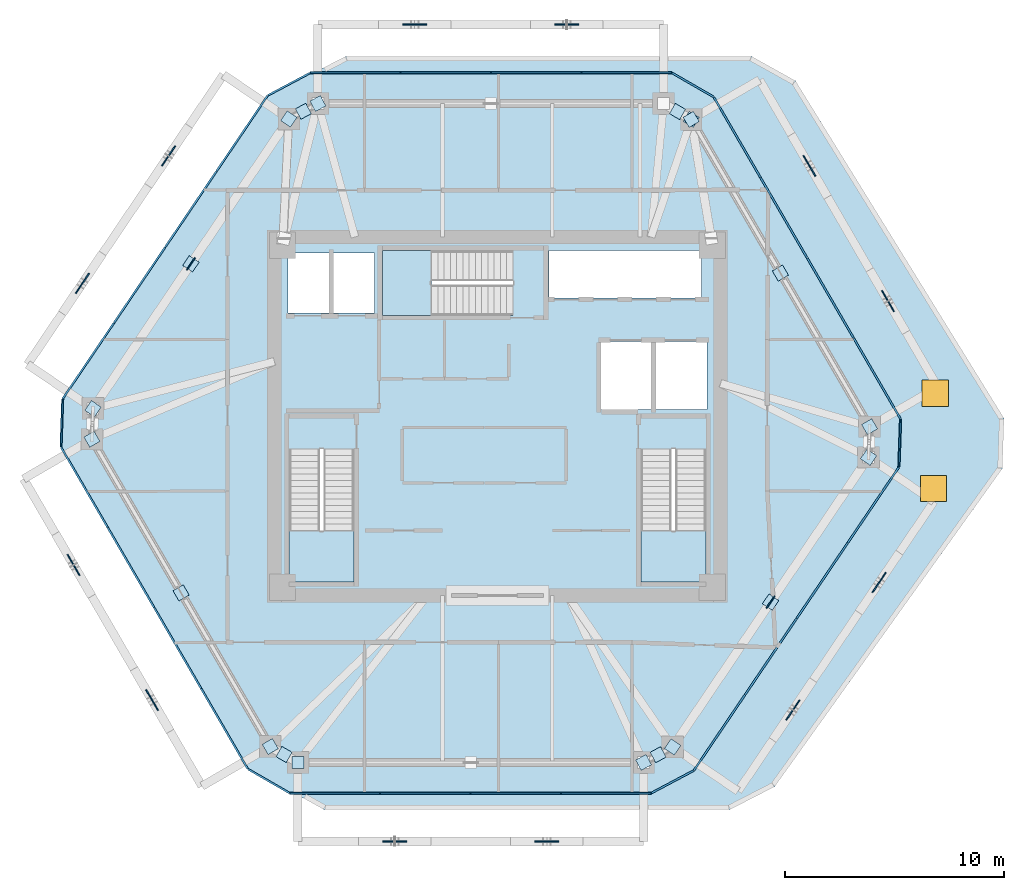
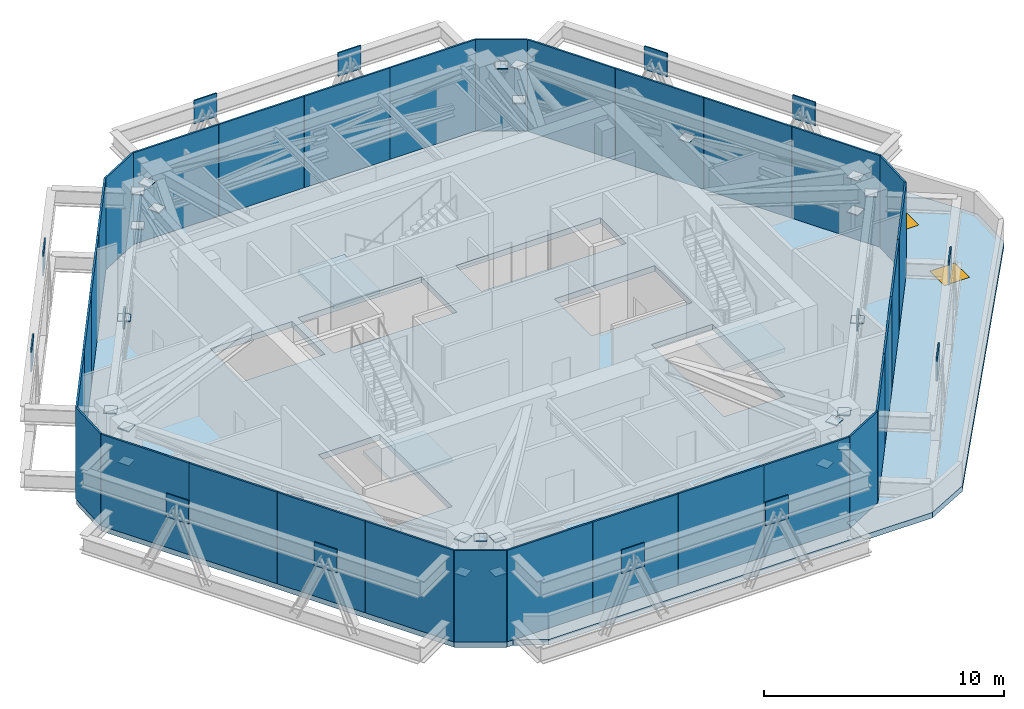
# One storey, part 4 of 10: 70 plates, 5 slabs, 2 windows, 2 openings, 3 elements without a shape of their own.
"""IFC4 building model written with IfcOpenShell, lengths in metres."""

import ifcopenshell
import ifcopenshell.guid

model = None  # the IFC model being written
_history = None  # IfcOwnerHistory: only IFC2X3 demands one
_inside = {}  # id of a spatial element -> (the spatial element, [elements in it])
_under = {}  # id of a project, library or spatial element -> (it, [spatial elements below it])
_declared = {}  # id of a project -> (the project, [libraries it declares])
_typed = {}  # id of a type object -> (the type object, [elements of that type])
_made_of = {}  # id of a material, layer set ... -> (it, [elements and type objects made of it])


def new_model(schema):
    """Start an empty IFC model of exactly this schema.

    Asked for "IFC4X3", IfcOpenShell would pick the latest addendum, in which some entities
    have other attributes; the version numbers below select the first issue.
    IFC2X3 requires an IfcOwnerHistory on every rooted entity: one is made here for all.
    """
    global model, _history
    if schema == "IFC4X3":
        model = ifcopenshell.file(schema_version=(4, 3, 0, 0))
    else:
        model = ifcopenshell.file(schema=schema)
    _inside.clear()
    _under.clear()
    _declared.clear()
    _typed.clear()
    _made_of.clear()
    _history = None
    if model.schema == "IFC2X3":
        org = make("IfcOrganization", Name="unknown")
        user = make(
            "IfcPersonAndOrganization",
            ThePerson=make("IfcPerson", FamilyName="unknown"),
            TheOrganization=org,
        )
        app = make(
            "IfcApplication",
            ApplicationDeveloper=org,
            Version="unknown",
            ApplicationFullName="unknown",
            ApplicationIdentifier="unknown",
        )
        _history = make(
            "IfcOwnerHistory",
            OwningUser=user,
            OwningApplication=app,
            ChangeAction="ADDED",
            CreationDate=0,
        )
    return model


def make(cls, **values):
    """One entity of the class cls with the attributes given. An attribute that is None is left unset."""
    return model.create_entity(
        cls, **{name: value for name, value in values.items() if value is not None}
    )


def rooted(cls, **values):
    """An entity with a GlobalId (a new one), such as an element, a storey or a relation."""
    return make(cls, GlobalId=ifcopenshell.guid.new(), OwnerHistory=_history, **values)


def si_unit(unit_type, name, prefix=None):
    """IfcSIUnit, for example si_unit("LENGTHUNIT", "METRE", prefix="MILLI")."""
    return make("IfcSIUnit", UnitType=unit_type, Prefix=prefix, Name=name)


def assignment(units):
    """IfcUnitAssignment: the units of a project."""
    return None if units is None else make("IfcUnitAssignment", Units=units)


def point(xyz):
    """IfcCartesianPoint."""
    return None if xyz is None else make("IfcCartesianPoint", Coordinates=xyz)


def direction(xyz):
    """IfcDirection."""
    return None if xyz is None else make("IfcDirection", DirectionRatios=xyz)


def frame(location, z_axis=None, x_axis=None):
    """IfcAxis2Placement3D, a coordinate frame: its origin and axes. An axis left out is left unset."""
    return make(
        "IfcAxis2Placement3D",
        Location=point(location),
        Axis=direction(z_axis),
        RefDirection=direction(x_axis),
    )


def frame_2d(location, x_axis=None):
    """IfcAxis2Placement2D, a coordinate frame in the plane: its origin and x axis."""
    return make(
        "IfcAxis2Placement2D", Location=point(location), RefDirection=direction(x_axis)
    )


def origin():
    """The frame at (0, 0, 0) with its axes left unset."""
    return frame((0.0, 0.0, 0.0))


def origin_2d():
    """The frame at (0, 0) in the plane with its x axis left unset."""
    return frame_2d((0.0, 0.0))


def place(relative_to, where):
    """IfcLocalPlacement: puts the frame where relative to a parent placement (None: the world)."""
    return make(
        "IfcLocalPlacement", PlacementRelTo=relative_to, RelativePlacement=where
    )


def context(
    kind, dimensions, precision=None, world=None, true_north=None, identifier=None
):
    """IfcGeometricRepresentationContext, for example the 3D "Model" context."""
    return make(
        "IfcGeometricRepresentationContext",
        ContextIdentifier=identifier,
        ContextType=kind,
        CoordinateSpaceDimension=dimensions,
        Precision=precision,
        WorldCoordinateSystem=world,
        TrueNorth=true_north,
    )


def subcontext(parent, identifier, kind, view, scale=None):
    """IfcGeometricRepresentationSubContext, for example "Body" below "Model"."""
    return make(
        "IfcGeometricRepresentationSubContext",
        ContextIdentifier=identifier,
        ContextType=kind,
        ParentContext=parent,
        TargetScale=scale,
        TargetView=view,
    )


def project(units=None, contexts=None):
    """IfcProject with its units and contexts."""
    return rooted(
        "IfcProject",
        Name="project",
        RepresentationContexts=contexts,
        UnitsInContext=assignment(units),
    )


def spatial(cls, under=None, at=None, **own):
    """A site, building, storey or space (cls), placed at a placement, below another one or the project."""
    s = rooted(cls, ObjectPlacement=at, **own)
    if under is not None:
        _under.setdefault(under.id(), (under, []))[1].append(s)
    return s


def polyline(points):
    """IfcPolyline through the points."""
    return make("IfcPolyline", Points=[point(p) for p in points])


def profile(cls, at=None, kind="AREA", **sizes):
    """A parametric profile (cls). Its sizes go by their IFC names, for example OverallWidth=200.0."""
    return make(cls, ProfileType=kind, Position=at, **sizes)


def rectangle(**sizes):
    """IfcRectangleProfileDef."""
    return profile("IfcRectangleProfileDef", **sizes)


def outline(outer, holes=None, kind="AREA"):
    """IfcArbitraryClosedProfileDef: a profile drawn as a closed curve; with holes, ...WithVoids."""
    if holes is None:
        return make("IfcArbitraryClosedProfileDef", ProfileType=kind, OuterCurve=outer)
    return make(
        "IfcArbitraryProfileDefWithVoids",
        ProfileType=kind,
        OuterCurve=outer,
        InnerCurves=holes,
    )


def extrude(swept, where, along, depth):
    """IfcExtrudedAreaSolid: the profile swept, set in the frame where, extruded along a direction by depth."""
    return make(
        "IfcExtrudedAreaSolid",
        SweptArea=swept,
        Position=where,
        ExtrudedDirection=direction(along),
        Depth=depth,
    )


def shape(context_of_items, identifier, shape_type, items):
    """IfcShapeRepresentation: the items that make up one representation, for example the "Body"."""
    return make(
        "IfcShapeRepresentation",
        ContextOfItems=context_of_items,
        RepresentationIdentifier=identifier,
        RepresentationType=shape_type,
        Items=items,
    )


def source(mapping_origin, context_of_items, identifier, shape_type, items):
    """IfcRepresentationMap: a shape defined once, which mapped items show again and again."""
    return make(
        "IfcRepresentationMap",
        MappingOrigin=mapping_origin,
        MappedRepresentation=shape(context_of_items, identifier, shape_type, items),
    )


def transform(
    local_origin,
    x_axis=None,
    y_axis=None,
    z_axis=None,
    scale=None,
    scale2=None,
    scale3=None,
    uniform=True,
):
    """IfcCartesianTransformationOperator3D, or its non-uniform kind. x_axis, y_axis, z_axis: its Axis1, 2, 3."""
    if uniform:
        return make(
            "IfcCartesianTransformationOperator3D",
            Axis1=direction(x_axis),
            Axis2=direction(y_axis),
            LocalOrigin=point(local_origin),
            Scale=scale,
            Axis3=direction(z_axis),
        )
    return make(
        "IfcCartesianTransformationOperator3DnonUniform",
        Axis1=direction(x_axis),
        Axis2=direction(y_axis),
        LocalOrigin=point(local_origin),
        Scale=scale,
        Axis3=direction(z_axis),
        Scale2=scale2,
        Scale3=scale3,
    )


def mapped(mapping_source, mapping_target):
    """IfcMappedItem: shows the shape of a source again, moved by a transform."""
    return make(
        "IfcMappedItem", MappingSource=mapping_source, MappingTarget=mapping_target
    )


def material(Name=None, Category=None):
    """IfcMaterial."""
    return make("IfcMaterial", Name=Name, Category=Category)


def layer(
    of_material, thickness, ventilated=None, Name=None, Category=None, Priority=None
):
    """IfcMaterialLayer: one layer of a wall or slab, of a material (None: an air gap)."""
    return make(
        "IfcMaterialLayer",
        Material=of_material,
        LayerThickness=thickness,
        IsVentilated=ventilated,
        Name=Name,
        Category=Category,
        Priority=Priority,
    )


def layer_set(layers, Name=None):
    """IfcMaterialLayerSet."""
    return make("IfcMaterialLayerSet", MaterialLayers=layers, LayerSetName=Name)


def made_of(thing, what):
    """Note that an element or type object is made of a material, layer set ...; save() writes the relation."""
    if what is not None:
        _made_of.setdefault(what.id(), (what, []))[1].append(thing)
    return thing


def type_object(cls, material=None, **own):
    """A type object (cls), such as IfcWallType, which elements share."""
    return made_of(rooted(cls, **own), material)


def type_shapes(of_type, sources):
    """Give a type object the sources (RepresentationMaps) that its elements show as mapped items."""
    of_type.RepresentationMaps = sources


def element(
    cls,
    number,
    at=None,
    inside=None,
    cuts=None,
    type_object=None,
    material=None,
    context=None,
    identifier="Body",
    shape_type=None,
    held_by="IfcProductDefinitionShape",
    body=None,
    shapes=None,
    **own,
):
    """One element of the class cls, such as IfcWall. Its Tag is "e" and its number.

    at: its placement. inside: the storey or other place that contains it. cuts: it is an
    opening in that element (IfcRelVoidsElement). A single representation is given by context,
    identifier, shape_type and body (its items); several are given by shapes. held_by: the class
    of the entity that holds the representations. save() writes the other relations.
    """
    e = rooted(cls, Tag="e%d" % number, ObjectPlacement=at, **own)
    if body is not None:
        shapes = [shape(context, identifier, shape_type, body)]
    if shapes is not None:
        e.Representation = make(held_by, Representations=shapes)
    if inside is not None:
        _inside.setdefault(inside.id(), (inside, []))[1].append(e)
    if cuts is not None:
        rooted(
            "IfcRelVoidsElement", RelatingBuildingElement=cuts, RelatedOpeningElement=e
        )
    if type_object is not None:
        _typed.setdefault(type_object.id(), (type_object, []))[1].append(e)
    return made_of(e, material)


def fill(opening, filler):
    """IfcRelFillsElement: the door or window that sits in an opening."""
    return rooted(
        "IfcRelFillsElement",
        RelatingOpeningElement=opening,
        RelatedBuildingElement=filler,
    )


def aggregate(whole, parts):
    """IfcRelAggregates: a whole, such as a stair, and the parts it consists of."""
    return rooted("IfcRelAggregates", RelatingObject=whole, RelatedObjects=parts)


def save(model, path):
    """Write the relations noted so far, then the file.

    IfcRelAggregates (storeys below a building ...), IfcRelContainedInSpatialStructure (elements
    in a storey), IfcRelDefinesByType, IfcRelAssociatesMaterial and IfcRelDeclares: one each for
    every whole, place, type object, material and project.
    """
    for whole, parts in _under.values():
        aggregate(whole, parts)
    for where, things in _inside.values():
        rooted(
            "IfcRelContainedInSpatialStructure",
            RelatedElements=things,
            RelatingStructure=where,
        )
    for kind, things in _typed.values():
        rooted("IfcRelDefinesByType", RelatedObjects=things, RelatingType=kind)
    for what, things in _made_of.values():
        rooted("IfcRelAssociatesMaterial", RelatedObjects=things, RelatingMaterial=what)
    for by, libraries in _declared.values():
        rooted("IfcRelDeclares", RelatingContext=by, RelatedDefinitions=libraries)
    model.write(path)


model = new_model("IFC4")

# Units and contexts
model_context = context("Model", 3, precision=1e-05, world=origin(), true_north=direction((0.0, 1.0)))
body_context = subcontext(model_context, "Body", "Model", "MODEL_VIEW")
ifc_project = project(units=[si_unit("LENGTHUNIT", "METRE"), si_unit("AREAUNIT", "SQUARE_METRE"), si_unit("VOLUMEUNIT", "CUBIC_METRE"), si_unit("PLANEANGLEUNIT", "RADIAN"), si_unit("MASSUNIT", "GRAM", prefix="KILO")], contexts=[model_context])

# Site, building, storey
site_placement = place(None, origin())
site = spatial("IfcSite", under=ifc_project, at=site_placement, CompositionType="ELEMENT")
building_placement = place(site_placement, origin())
building = spatial("IfcBuilding", under=site, at=building_placement, Name="Durnholm Broadcast Tower", CompositionType="ELEMENT")
storey_placement = place(building_placement, frame((0.0, 0.0, 213.39990234375)))
storey = spatial("IfcBuildingStorey", under=building, at=storey_placement, Name="L59", CompositionType="ELEMENT", Elevation=213.39990234375)

# Slab
ifc_material_1 = material(Name="Concrete C50/60", Category="concrete")
ifc_layer_1 = layer(ifc_material_1, 0.300048828125)
ifc_layer_set_1 = layer_set([ifc_layer_1], Name="Concrete C50/60")
slab_type_1 = type_object("IfcSlabType", Name="SLAB-FLR-300", PredefinedType="FLOOR", material=ifc_layer_set_1)
slab_1_placement = place(storey_placement, frame((0.0, 0.0, -0.2998046875)))
element("IfcSlab", 1, at=slab_1_placement, inside=storey, type_object=slab_type_1, Name="L59 structural floor slab", PredefinedType="FLOOR", context=body_context, shape_type="SweptSolid", body=[
    extrude(outline(polyline([(-11.384521484375, -16.088134765625), (-9.47802734375, -17.18603515625), (7.012451171875, -17.18603515625), (8.955322265625, -16.154296875), (18.307861328125, -2.3203125), (18.38330078125, -0.12158203125), (9.8603515625, 14.564208984375), (7.9541015625, 15.662109375), (-8.536376953125, 15.662109375), (-10.4794921875, 14.630126953125), (-19.831787109375, 0.79638671875), (-19.9072265625, -1.40234375), (-11.384521484375, -16.088134765625)]), holes=[polyline([(-6.5400390625, -1.5), (-9.5, -1.5), (-9.5, -7.550048828125), (-6.5400390625, -7.550048828125), (-6.5400390625, -1.5)]), polyline([(9.5, -7.550048828125), (9.5, -1.5), (6.5400390625, -1.5), (6.5400390625, -7.550048828125), (9.5, -7.550048828125)]), polyline([(9.550048828125, 3.39990234375), (4.699951171875, 3.39990234375), (4.699951171875, 0.300048828125), (9.550048828125, 0.300048828125), (9.550048828125, 3.39990234375)]), polyline([(-9.550048828125, 7.449951171875), (-9.550048828125, 4.699951171875), (-5.60009765625, 4.699951171875), (-5.60009765625, 7.449951171875), (-9.550048828125, 7.449951171875)]), polyline([(-5.25, 4.60009765625), (0.699951171875, 4.60009765625), (0.699951171875, 7.56005859375), (-5.25, 7.56005859375), (-5.25, 4.60009765625)]), polyline([(9.31005859375, 7.550048828125), (2.35009765625, 7.550048828125), (2.35009765625, 5.39990234375), (9.31005859375, 5.39990234375), (9.31005859375, 7.550048828125)])]), origin(), (0.0, 0.0, 1.0), 0.2998046875),
])

# Stair, slab
stair_type = type_object("IfcStairType", Name="STAIR-DL-28R1750", PredefinedType="HALF_TURN_STAIR", material=ifc_material_1)
stair_1_placement = place(storey_placement, origin())
stair_1 = element("IfcStair", 2, at=stair_1_placement, inside=storey, type_object=stair_type, Name="L59 ST-1", PredefinedType="HALF_TURN_STAIR")
ifc_layer_2 = layer(ifc_material_1, 0.199951171875)
ifc_layer_set_2 = layer_set([ifc_layer_2], Name="Concrete C50/60")
slab_type_2 = type_object("IfcSlabType", Name="SLAB-LND-200", PredefinedType="LANDING", material=ifc_layer_set_2)
slab_2_placement = place(storey_placement, frame((0.0, 0.0, 2.25)))
slab_2 = element("IfcSlab", 3, at=slab_2_placement, type_object=slab_type_2, Name="ST-1 landing 1", PredefinedType="LANDING", context=body_context, shape_type="SweptSolid", body=[
    extrude(outline(polyline([(-9.5, -5.205078125), (-9.5, -7.550048828125), (-6.5400390625, -7.550048828125), (-6.5400390625, -5.205078125), (-9.5, -5.205078125)])), origin(), (0.0, 0.0, 1.0), 0.2001953125),
])
aggregate(stair_1, [slab_2])

stair_2_placement = place(storey_placement, origin())
stair_2 = element("IfcStair", 4, at=stair_2_placement, inside=storey, type_object=stair_type, Name="L59 ST-2", PredefinedType="HALF_TURN_STAIR")
slab_3_placement = place(storey_placement, frame((0.0, 0.0, 2.25)))
slab_3 = element("IfcSlab", 5, at=slab_3_placement, type_object=slab_type_2, Name="ST-2 landing 1", PredefinedType="LANDING", context=body_context, shape_type="SweptSolid", body=[
    extrude(outline(polyline([(6.5400390625, -5.205078125), (6.5400390625, -7.550048828125), (9.5, -7.550048828125), (9.5, -5.205078125), (6.5400390625, -5.205078125)])), origin(), (0.0, 0.0, 1.0), 0.2001953125),
])
aggregate(stair_2, [slab_3])

stair_3_placement = place(storey_placement, origin())
stair_3 = element("IfcStair", 6, at=stair_3_placement, inside=storey, type_object=stair_type, Name="L59 ST-3", PredefinedType="HALF_TURN_STAIR")
slab_4_placement = place(storey_placement, frame((0.0, 0.0, 2.25)))
slab_4 = element("IfcSlab", 7, at=slab_4_placement, type_object=slab_type_2, Name="ST-3 landing 1", PredefinedType="LANDING", context=body_context, shape_type="SweptSolid", body=[
    extrude(outline(polyline([(-3.0048828125, 7.56005859375), (-5.25, 7.56005859375), (-5.25, 4.60009765625), (-3.0048828125, 4.60009765625), (-3.0048828125, 7.56005859375)])), origin(), (0.0, 0.0, 1.0), 0.2001953125),
])
aggregate(stair_3, [slab_4])

# Slab, openings, windows
ifc_layer_3 = layer(ifc_material_1, 0.280029296875)
ifc_layer_set_3 = layer_set([ifc_layer_3], Name="Concrete C50/60")
slab_type_3 = type_object("IfcSlabType", Name="SLAB-ROOF-280", PredefinedType="ROOF", material=ifc_layer_set_3)
slab_5_placement = place(storey_placement, frame((0.0, 0.0, -0.27978515625)))
slab_5 = element("IfcSlab", 8, at=slab_5_placement, inside=storey, type_object=slab_type_3, Name="L59 setback roof slab 1", PredefinedType="ROOF", context=body_context, shape_type="SweptSolid", body=[
    extrude(outline(polyline([(-6.917236328125, 16.41796875), (-8.330078125, 15.69189453125), (7.9541015625, 15.69189453125), (7.95703125, 15.69189453125), (7.960205078125, 15.69140625), (7.96337890625, 15.6904296875), (7.96630859375, 15.689453125), (7.968994140625, 15.68798828125), (9.87548828125, 14.590087890625), (9.8779296875, 14.58837890625), (9.88037109375, 14.58642578125), (9.8828125, 14.584228515625), (9.884521484375, 14.581787109375), (9.88623046875, 14.5791015625), (18.4091796875, -0.106689453125), (18.410400390625, -0.109130859375), (18.41162109375, -0.11181640625), (18.412353515625, -0.114501953125), (18.4130859375, -0.1171875), (18.4130859375, -0.119873046875), (18.413330078125, -0.122802734375), (18.337890625, -2.3212890625), (18.337646484375, -2.32421875), (18.337158203125, -2.326904296875), (18.336181640625, -2.32958984375), (18.335205078125, -2.332275390625), (18.333984375, -2.334716796875), (18.332763671875, -2.337158203125), (8.980224609375, -16.1708984375), (8.978515625, -16.17333984375), (8.9765625, -16.175537109375), (8.974365234375, -16.177490234375), (8.971923828125, -16.17919921875), (8.969482421875, -16.1806640625), (7.026611328125, -17.21240234375), (7.023681640625, -17.213623046875), (7.02099609375, -17.214599609375), (7.018310546875, -17.21533203125), (7.015380859375, -17.2158203125), (7.012451171875, -17.216064453125), (-9.20556640625, -17.216064453125), (-7.9033203125, -17.94189453125), (10.59521484375, -17.94189453125), (12.64111328125, -16.890625), (23.022705078125, -2.390380859375), (23.1005859375, -0.091552734375), (13.59033203125, 15.2978515625), (11.581298828125, 16.41796875), (-6.917236328125, 16.41796875)])), origin(), (0.0, 0.0, 1.0), 0.27978515625),
])
opening_1_placement = place(slab_5_placement, frame((19.883056640625, -3.297119140625, -0.010009765625)))
opening_1 = element("IfcOpeningElement", 9, at=opening_1_placement, cuts=slab_5, Name="Opening SK1", PredefinedType="OPENING", context=body_context, shape_type="SweptSolid", body=[
    extrude(rectangle(XDim=1.199951171875, YDim=1.199951171875, at=origin_2d()), origin(), (0.0, 0.0, 1.0), 0.2998046875),
])
opening_2_placement = place(slab_5_placement, frame((19.958984375, 1.051025390625, -0.010009765625)))
opening_2 = element("IfcOpeningElement", 10, at=opening_2_placement, cuts=slab_5, Name="Opening SK2", PredefinedType="OPENING", context=body_context, shape_type="SweptSolid", body=[
    extrude(rectangle(XDim=1.199951171875, YDim=1.199951171875, at=origin_2d()), origin(), (0.0, 0.0, 1.0), 0.2998046875),
])
ifc_material_2 = material(Name="Thermally Broken Aluminium and Laminated Glass", Category="aluminium")
ifc_layer_4 = layer(ifc_material_2, 0.06005859375)
ifc_layer_set_4 = layer_set([ifc_layer_4], Name="Thermally Broken Aluminium and Laminated Glass")
window_type_1 = type_object("IfcWindowType", Name="WIN-SK1", PartitioningType="SINGLE_PANEL", PredefinedType="SKYLIGHT", material=ifc_layer_set_4)
window_1_placement = place(opening_1_placement, frame((0.0, 0.0, 0.23974609375)))
window_1 = element("IfcWindow", 11, at=window_1_placement, inside=storey, type_object=window_type_1, Name="L59 setback roof daylight skylight 1", OverallHeight=1.199951171875, OverallWidth=1.199951171875, PartitioningType="SINGLE_PANEL", PredefinedType="SKYLIGHT", context=body_context, shape_type="SweptSolid", body=[
    extrude(rectangle(XDim=1.199951171875, YDim=1.199951171875, at=origin_2d()), origin(), (0.0, 0.0, 1.0), 0.050048828125),
])
fill(opening_1, window_1)
ifc_layer_5 = layer(ifc_material_2, 0.06005859375)
ifc_layer_set_5 = layer_set([ifc_layer_5], Name="Thermally Broken Aluminium and Laminated Glass")
window_type_2 = type_object("IfcWindowType", Name="WIN-SK2", PartitioningType="SINGLE_PANEL", PredefinedType="SKYLIGHT", material=ifc_layer_set_5)
window_2_placement = place(opening_2_placement, frame((0.0, 0.0, 0.23974609375)))
window_2 = element("IfcWindow", 12, at=window_2_placement, inside=storey, type_object=window_type_2, Name="L59 setback roof daylight skylight 2", OverallHeight=1.199951171875, OverallWidth=1.199951171875, PartitioningType="SINGLE_PANEL", PredefinedType="SKYLIGHT", context=body_context, shape_type="SweptSolid", body=[
    extrude(rectangle(XDim=1.199951171875, YDim=1.199951171875, at=origin_2d()), origin(), (0.0, 0.0, 1.0), 0.050048828125),
])
fill(opening_2, window_2)

# Plates
ifc_material_3 = material(Name="Steel ASTM A572 Grade 50", Category="steel")
ifc_layer_6 = layer(ifc_material_3, 0.0400390625)
ifc_layer_set_6 = layer_set([ifc_layer_6], Name="Steel ASTM A572 Grade 50")
plate_type_1 = type_object("IfcPlateType", Name="PLT-KN-CAP", PredefinedType="USERDEFINED", material=ifc_layer_set_6)
shared_shape_1 = source(origin(), body_context, "Body", "SweptSolid", [
    extrude(rectangle(XDim=0.5400390625, YDim=0.5400390625, at=origin_2d()), origin(), (0.0, 0.0, 1.0), 0.0400390625),
])
type_shapes(plate_type_1, [shared_shape_1])
for number, where, z_axis, x_axis, name in (
    (13, (-10.361328125, -15.061767578125, 2.530029296875), (0.0, 0.0, 1.0), (-0.501963660617, 0.864888711581, 0.0), "L59 hollow section end cap plate BT-CH-L59-01 1"),
    (14, (-18.494384765625, -1.0478515625, 2.530029296875), (0.0, 0.0, 1.0), (-0.501963660617, 0.864888711581, 0.0), "L59 hollow section end cap plate BT-CH-L59-01 2"),
    (15, (-18.494384765625, -1.0478515625, 4.2900390625), (0.0, 0.0, 1.0), (-0.501963660617, 0.864888711581, 0.0), "L59 hollow section end cap plate BT-XCONT-L59-01 2"),
    (16, (-14.427734375, -8.0546875, 3.41015625), (0.0, 0.0, 1.0), (0.501963660617, -0.864888711581, 0.0), "L59 hollow section end cap plate BT-XSPLIT-L59-01-1 2"),
    (17, (-10.361328125, -15.061767578125, 4.2900390625), (0.0, 0.0, 1.0), (0.501963660617, -0.864888711581, 0.0), "L59 hollow section end cap plate BT-XSPLIT-L59-01-2 2"),
    (18, (-9.514892578125, 13.557373046875, 2.530029296875), (0.0, 0.0, 1.0), (0.560060762816, 0.828451532652, 0.0), "L59 hollow section end cap plate BT-CH-L59-03 2"),
    (19, (-9.514892578125, 13.557373046875, 4.2900390625), (0.0, 0.0, 1.0), (0.560060762816, 0.828451532652, 0.0), "L59 hollow section end cap plate BT-XCONT-L59-03 2"),
    (20, (-13.980712890625, 6.95166015625, 3.41015625), (0.0, 0.0, 1.0), (-0.560060762816, -0.828451532652, 0.0), "L59 hollow section end cap plate BT-XSPLIT-L59-03-1 2"),
    (21, (-18.4462890625, 0.345947265625, 4.2900390625), (0.0, 0.0, 1.0), (-0.560060762816, -0.828451532652, 0.0), "L59 hollow section end cap plate BT-XSPLIT-L59-03-2 2"),
    (22, (-8.187744140625, 14.261962890625, 2.530029296875), (0.0, 0.0, 1.0), (0.883193286551, 0.469009188174, 0.0), "L59 hollow section end cap plate BT-CH-L59-04 2"),
    (23, (-8.851318359375, 13.90966796875, 4.2900390625), (0.0, 0.0, 1.0), (0.883275130644, 0.468855034724, 0.0), "L59 hollow section end cap plate BT-BR-L59-04-1 2"),
    (24, (8.83740234375, 13.53759765625, 2.530029296875), (0.0, 0.0, 1.0), (0.866548527613, -0.499092826328, 0.0), "L59 hollow section end cap plate BT-CH-L59-06 2"),
    (25, (8.20849609375, 13.89990234375, 4.2900390625), (0.0, 0.0, 1.0), (0.866635622545, -0.498941577478, 0.0), "L59 hollow section end cap plate BT-BR-L59-06-1 2"),
    (26, (16.97021484375, -0.47607421875, 2.530029296875), (0.0, 0.0, 1.0), (0.501963660617, -0.864888711581, 0.0), "L59 hollow section end cap plate BT-CH-L59-07 2"),
    (27, (16.97021484375, -0.47607421875, 4.2900390625), (0.0, 0.0, 1.0), (0.501963660617, -0.864888711581, 0.0), "L59 hollow section end cap plate BT-XCONT-L59-07 2"),
    (28, (12.90380859375, 6.53076171875, 3.41015625), (0.0, 0.0, 1.0), (-0.501963660617, 0.864888711581, 0.0), "L59 hollow section end cap plate BT-XSPLIT-L59-07-1 2"),
    (29, (8.83740234375, 13.53759765625, 4.2900390625), (0.0, 0.0, 1.0), (-0.501963660617, 0.864888711581, 0.0), "L59 hollow section end cap plate BT-XSPLIT-L59-07-2 2"),
    (30, (7.990966796875, -15.081298828125, 2.530029296875), (0.0, 0.0, 1.0), (-0.560060762816, -0.828451532652, 0.0), "L59 hollow section end cap plate BT-CH-L59-09 2"),
    (31, (7.990966796875, -15.081298828125, 4.2900390625), (0.0, 0.0, 1.0), (-0.560060762816, -0.828451532652, 0.0), "L59 hollow section end cap plate BT-XCONT-L59-09 2"),
    (32, (12.45654296875, -8.4755859375, 3.41015625), (0.0, 0.0, 1.0), (0.560060762816, 0.828451532652, 0.0), "L59 hollow section end cap plate BT-XSPLIT-L59-09-1 2"),
    (33, (16.92236328125, -1.869873046875, 4.2900390625), (0.0, 0.0, 1.0), (0.560060762816, 0.828451532652, 0.0), "L59 hollow section end cap plate BT-XSPLIT-L59-09-2 2"),
    (34, (6.663818359375, -15.785888671875, 2.530029296875), (0.0, 0.0, 1.0), (-0.883193286551, -0.469009188174, 0.0), "L59 hollow section end cap plate BT-CH-L59-10 2"),
    (35, (7.327392578125, -15.43359375, 4.2900390625), (0.0, 0.0, 1.0), (-0.883193286551, -0.469009188174, 0.0), "L59 hollow section end cap plate BT-BR-L59-10-1 2"),
    (36, (-9.103759765625, -15.785888671875, 2.530029296875), (0.0, 0.0, 1.0), (-1.0, 0.0, 0.0), "L59 hollow section end cap plate BT-CH-L59-11 2"),
    (37, (-9.103759765625, -15.785888671875, 4.2900390625), (0.0, 0.0, 1.0), (-1.0, 0.0, 0.0), "L59 hollow section end cap plate BT-XCONT-L59-11 2"),
    (38, (-9.732421875, -15.423828125, 4.2900390625), (0.0, 0.0, 1.0), (-0.866548527613, 0.499092826328, 0.0), "L59 hollow section end cap plate BT-BR-L59-12-1 2"),
):
    element("IfcPlate", number, at=place(storey_placement, frame(where, z_axis=z_axis, x_axis=x_axis)), inside=storey, type_object=plate_type_1, Name=name, ObjectType="CAP_PLATE", PredefinedType="USERDEFINED", context=body_context, shape_type="MappedRepresentation", body=[
        mapped(shared_shape_1, transform((0.0, 0.0, 0.0), x_axis=(1.0, 0.0, 0.0), y_axis=(0.0, 1.0, 0.0), z_axis=(0.0, 0.0, 1.0), scale=1.0)),
    ])
ifc_material_4 = material(Name="ASTM A572 Grade 50 Steel", Category="steel")
ifc_layer_7 = layer(ifc_material_4, 0.06005859375)
ifc_layer_set_7 = layer_set([ifc_layer_7], Name="ASTM A572 Grade 50 Steel")
plate_type_2 = type_object("IfcPlateType", Name="PLT-KN-X1", PredefinedType="USERDEFINED", material=ifc_layer_set_7)
shared_shape_2 = source(origin(), body_context, "Body", "SweptSolid", [
    extrude(rectangle(XDim=0.679931640625, YDim=0.06005859375, at=origin_2d()), origin(), (0.0, 0.0, 1.0), 0.679931640625),
])
type_shapes(plate_type_2, [shared_shape_2])
for number, where, z_axis, x_axis, name in (
    (39, (-13.980712890625, 6.95166015625, 3.09033203125), (0.0, 0.0, 1.0), (0.560060762816, 0.828451532652, 0.0), "L59 belt-truss X-brace crossing gusset plate 03"),
    (40, (12.45654296875, -8.4755859375, 3.09033203125), (0.0, 0.0, 1.0), (-0.560060762816, -0.828451532652, 0.0), "L59 belt-truss X-brace crossing gusset plate 09"),
):
    element("IfcPlate", number, at=place(storey_placement, frame(where, z_axis=z_axis, x_axis=x_axis)), inside=storey, type_object=plate_type_2, Name=name, ObjectType="GUSSET_PLATE", PredefinedType="USERDEFINED", context=body_context, shape_type="MappedRepresentation", body=[
        mapped(shared_shape_2, transform((0.0, 0.0, 0.0), x_axis=(1.0, 0.0, 0.0), y_axis=(0.0, 1.0, 0.0), z_axis=(0.0, 0.0, 1.0), scale=1.0)),
    ])
ifc_layer_8 = layer(ifc_material_3, 0.06005859375)
ifc_layer_set_8 = layer_set([ifc_layer_8], Name="Steel ASTM A572 Grade 50")
plate_type_3 = type_object("IfcPlateType", Name="PLT-KN10-GUS", PredefinedType="USERDEFINED", material=ifc_layer_set_8)
shared_shape_3 = source(origin(), body_context, "Body", "SweptSolid", [
    extrude(rectangle(XDim=1.10009765625, YDim=0.06005859375, at=origin_2d()), origin(), (0.0, 0.0, 1.0), 1.199951171875),
])
type_shapes(plate_type_3, [shared_shape_3])
for number, where, z_axis, x_axis, name in (
    (41, (-4.688720703125, -19.385986328125, 3.30859375), (0.0, 0.0, 1.0), (1.0, 0.0, 0.0), "L59 welded diagrid node gusset plate KN10 F1"),
    (42, (2.248779296875, -19.385986328125, 3.30859375), (0.0, 0.0, 1.0), (1.0, 0.0, 0.0), "L59 welded diagrid node gusset plate KN10 F1"),
    (43, (13.47412109375, -13.398193359375, 3.30859375), (0.0, 0.0, 1.0), (0.560060762816, 0.828451532652, 0.0), "L59 welded diagrid node gusset plate KN10 F2"),
    (44, (17.404052734375, -7.585205078125, 3.30859375), (0.0, 0.0, 1.0), (0.560060762816, 0.828451532652, 0.0), "L59 welded diagrid node gusset plate KN10 F2"),
    (45, (17.806640625, 5.2548828125, 3.30859375), (0.0, 0.0, 1.0), (-0.501963660617, 0.864888711581, 0.0), "L59 welded diagrid node gusset plate KN10 F3"),
    (46, (14.228271484375, 11.4208984375, 3.30859375), (0.0, 0.0, 1.0), (-0.501963660617, 0.864888711581, 0.0), "L59 welded diagrid node gusset plate KN10 F3"),
    (47, (3.164794921875, 17.862060546875, 3.30859375), (0.0, 0.0, 1.0), (-1.0, 0.0, 0.0), "L59 welded diagrid node gusset plate KN10 F4"),
    (48, (-3.772705078125, 17.862060546875, 3.30859375), (0.0, 0.0, 1.0), (-1.0, 0.0, 0.0), "L59 welded diagrid node gusset plate KN10 F4"),
    (49, (-14.998046875, 11.874267578125, 3.30859375), (0.0, 0.0, 1.0), (-0.560060762816, -0.828451532652, 0.0), "L59 welded diagrid node gusset plate KN10 F5"),
    (50, (-18.927978515625, 6.061279296875, 3.30859375), (0.0, 0.0, 1.0), (-0.560060762816, -0.828451532652, 0.0), "L59 welded diagrid node gusset plate KN10 F5"),
    (51, (-19.330810546875, -6.77880859375, 3.30859375), (0.0, 0.0, 1.0), (0.501963660617, -0.864888711581, 0.0), "L59 welded diagrid node gusset plate KN10 F6"),
    (52, (-15.752197265625, -12.94482421875, 3.30859375), (0.0, 0.0, 1.0), (0.501963660617, -0.864888711581, 0.0), "L59 welded diagrid node gusset plate KN10 F6"),
):
    element("IfcPlate", number, at=place(storey_placement, frame(where, z_axis=z_axis, x_axis=x_axis)), inside=storey, type_object=plate_type_3, Name=name, ObjectType="GUSSET_PLATE", PredefinedType="USERDEFINED", context=body_context, shape_type="MappedRepresentation", body=[
        mapped(shared_shape_3, transform((0.0, 0.0, 0.0), x_axis=(1.0, 0.0, 0.0), y_axis=(0.0, 1.0, 0.0), z_axis=(0.0, 0.0, 1.0), scale=1.0)),
    ])
ifc_material_5 = material(Name="Anodised Architectural Aluminium Louvre Screen", Category="aluminium")
ifc_layer_9 = layer(ifc_material_5, 0.0849609375)
ifc_layer_set_9 = layer_set([ifc_layer_9], Name="Anodised Architectural Aluminium Louvre Screen")
plate_type_4 = type_object("IfcPlateType", Name="PLT-CROWN-SCR", PredefinedType="USERDEFINED", material=ifc_layer_set_9)
shared_shape_4 = source(origin(), body_context, "Body", "SweptSolid", [
    extrude(rectangle(XDim=2.179931640625, YDim=0.0849609375, at=origin_2d()), origin(), (0.0, 0.0, 1.0), 4.659912109375),
])
for number, where, z_axis, x_axis, name in (
    (53, (-19.86962890625, -0.302978515625, 0.0), (0.0, 0.0, 1.0), (0.034376212129, 0.999408963358, 0.0), "L59 mechanical louvre screen panel SCR-L59-F01.1"),
    (54, (-9.5078125, 15.14599609375, 0.0), (0.0, 0.0, 1.0), (0.883193286551, 0.469009188174, 0.0), "L59 mechanical louvre screen panel SCR-L59-F03.1"),
    (55, (8.9072265625, 15.113037109375, 0.0), (0.0, 0.0, 1.0), (0.866548527613, -0.499092826328, 0.0), "L59 mechanical louvre screen panel SCR-L59-F05.1"),
    (56, (18.345458984375, -1.220947265625, 0.0), (0.0, 0.0, 1.0), (-0.034376212129, -0.999408963358, 0.0), "L59 mechanical louvre screen panel SCR-L59-F07.1"),
    (57, (7.98388671875, -16.670166015625, 0.0), (0.0, 0.0, 1.0), (-0.883193286551, -0.469009188174, 0.0), "L59 mechanical louvre screen panel SCR-L59-F09.1"),
    (58, (-10.43115234375, -16.63720703125, 0.0), (0.0, 0.0, 1.0), (-0.866548527613, 0.499092826328, 0.0), "L59 mechanical louvre screen panel SCR-L59-F11.1"),
):
    element("IfcPlate", number, at=place(storey_placement, frame(where, z_axis=z_axis, x_axis=x_axis)), inside=storey, type_object=plate_type_4, Name=name, ObjectType="SCREEN", PredefinedType="USERDEFINED", context=body_context, shape_type="MappedRepresentation", body=[
        mapped(shared_shape_4, transform((0.0, 0.0, 0.0), x_axis=(1.0, 0.0, 0.0), y_axis=(0.0, 1.0, 0.0), z_axis=(0.0, 0.0, 1.0), scale=1.0)),
    ])
shared_shape_5 = source(origin(), body_context, "Body", "SweptSolid", [
    extrude(rectangle(XDim=4.154541015625, YDim=0.0849609375, at=origin_2d()), origin(), (0.0, 0.0, 1.0), 4.659912109375),
])
for number, where, z_axis, x_axis, name in (
    (59, (-18.662841796875, 2.525634765625, 0.0), (0.0, 0.0, 1.0), (0.560060762816, 0.828451532652, 0.0), "L59 mechanical louvre screen panel SCR-L59-F02.1"),
    (60, (-16.32470703125, 5.984130859375, 0.0), (0.0, 0.0, 1.0), (0.560060762816, 0.828451532652, 0.0), "L59 mechanical louvre screen panel SCR-L59-F02.2"),
    (61, (-13.986572265625, 9.4423828125, 0.0), (0.0, 0.0, 1.0), (0.560060762816, 0.828451532652, 0.0), "L59 mechanical louvre screen panel SCR-L59-F02.3"),
    (62, (-11.6484375, 12.90087890625, 0.0), (0.0, 0.0, 1.0), (0.560060762816, 0.828451532652, 0.0), "L59 mechanical louvre screen panel SCR-L59-F02.4"),
    (63, (17.138916015625, -4.049560546875, 0.0), (0.0, 0.0, 1.0), (-0.560060762816, -0.828451532652, 0.0), "L59 mechanical louvre screen panel SCR-L59-F08.1"),
    (64, (14.80078125, -7.508056640625, 0.0), (0.0, 0.0, 1.0), (-0.560060762816, -0.828451532652, 0.0), "L59 mechanical louvre screen panel SCR-L59-F08.2"),
    (65, (12.462646484375, -10.966552734375, 0.0), (0.0, 0.0, 1.0), (-0.560060762816, -0.828451532652, 0.0), "L59 mechanical louvre screen panel SCR-L59-F08.3"),
    (66, (10.12451171875, -14.425048828125, 0.0), (0.0, 0.0, 1.0), (-0.560060762816, -0.828451532652, 0.0), "L59 mechanical louvre screen panel SCR-L59-F08.4"),
):
    element("IfcPlate", number, at=place(storey_placement, frame(where, z_axis=z_axis, x_axis=x_axis)), inside=storey, type_object=plate_type_4, Name=name, ObjectType="SCREEN", PredefinedType="USERDEFINED", context=body_context, shape_type="MappedRepresentation", body=[
        mapped(shared_shape_5, transform((0.0, 0.0, 0.0), x_axis=(1.0, 0.0, 0.0), y_axis=(0.0, 1.0, 0.0), z_axis=(0.0, 0.0, 1.0), scale=1.0)),
    ])
shared_shape_6 = source(origin(), body_context, "Body", "SweptSolid", [
    extrude(rectangle(XDim=4.1025390625, YDim=0.0849609375, at=origin_2d()), origin(), (0.0, 0.0, 1.0), 4.659912109375),
])
for number, where, z_axis, x_axis, name in (
    (67, (-6.47509765625, 15.662109375, 0.0), (0.0, 0.0, 1.0), (1.0, 0.0, 0.0), "L59 mechanical louvre screen panel SCR-L59-F04.1"),
    (68, (-2.3525390625, 15.662109375, 0.0), (0.0, 0.0, 1.0), (1.0, 0.0, 0.0), "L59 mechanical louvre screen panel SCR-L59-F04.2"),
    (69, (1.77001953125, 15.662109375, 0.0), (0.0, 0.0, 1.0), (1.0, 0.0, 0.0), "L59 mechanical louvre screen panel SCR-L59-F04.3"),
    (70, (5.892578125, 15.662109375, 0.0), (0.0, 0.0, 1.0), (1.0, 0.0, 0.0), "L59 mechanical louvre screen panel SCR-L59-F04.4"),
    (71, (4.951171875, -17.18603515625, 0.0), (0.0, 0.0, 1.0), (-1.0, 0.0, 0.0), "L59 mechanical louvre screen panel SCR-L59-F10.1"),
    (72, (0.82861328125, -17.18603515625, 0.0), (0.0, 0.0, 1.0), (-1.0, 0.0, 0.0), "L59 mechanical louvre screen panel SCR-L59-F10.2"),
    (73, (-3.294189453125, -17.18603515625, 0.0), (0.0, 0.0, 1.0), (-1.0, 0.0, 0.0), "L59 mechanical louvre screen panel SCR-L59-F10.3"),
    (74, (-7.416748046875, -17.18603515625, 0.0), (0.0, 0.0, 1.0), (-1.0, 0.0, 0.0), "L59 mechanical louvre screen panel SCR-L59-F10.4"),
):
    element("IfcPlate", number, at=place(storey_placement, frame(where, z_axis=z_axis, x_axis=x_axis)), inside=storey, type_object=plate_type_4, Name=name, ObjectType="SCREEN", PredefinedType="USERDEFINED", context=body_context, shape_type="MappedRepresentation", body=[
        mapped(shared_shape_6, transform((0.0, 0.0, 0.0), x_axis=(1.0, 0.0, 0.0), y_axis=(0.0, 1.0, 0.0), z_axis=(0.0, 0.0, 1.0), scale=1.0)),
    ])
shared_shape_7 = source(origin(), body_context, "Body", "SweptSolid", [
    extrude(rectangle(XDim=4.224853515625, YDim=0.0849609375, at=origin_2d()), origin(), (0.0, 0.0, 1.0), 4.659912109375),
])
type_shapes(plate_type_4, [shared_shape_4, shared_shape_5, shared_shape_6, shared_shape_7])
for number, where, z_axis, x_axis, name in (
    (75, (10.92578125, 12.728515625, 0.0), (0.0, 0.0, 1.0), (0.501963660617, -0.864888711581, 0.0), "L59 mechanical louvre screen panel SCR-L59-F06.1"),
    (76, (13.056396484375, 9.056884765625, 0.0), (0.0, 0.0, 1.0), (0.501963660617, -0.864888711581, 0.0), "L59 mechanical louvre screen panel SCR-L59-F06.2"),
    (77, (15.187255859375, 5.385498046875, 0.0), (0.0, 0.0, 1.0), (0.501963660617, -0.864888711581, 0.0), "L59 mechanical louvre screen panel SCR-L59-F06.3"),
    (78, (17.31787109375, 1.714111328125, 0.0), (0.0, 0.0, 1.0), (0.501963660617, -0.864888711581, 0.0), "L59 mechanical louvre screen panel SCR-L59-F06.4"),
    (79, (-12.44970703125, -14.25244140625, 0.0), (0.0, 0.0, 1.0), (-0.501963660617, 0.864888711581, 0.0), "L59 mechanical louvre screen panel SCR-L59-F12.1"),
    (80, (-14.58056640625, -10.580810546875, 0.0), (0.0, 0.0, 1.0), (-0.501963660617, 0.864888711581, 0.0), "L59 mechanical louvre screen panel SCR-L59-F12.2"),
    (81, (-16.711181640625, -6.909423828125, 0.0), (0.0, 0.0, 1.0), (-0.501963660617, 0.864888711581, 0.0), "L59 mechanical louvre screen panel SCR-L59-F12.3"),
    (82, (-18.841796875, -3.238037109375, 0.0), (0.0, 0.0, 1.0), (-0.501963660617, 0.864888711581, 0.0), "L59 mechanical louvre screen panel SCR-L59-F12.4"),
):
    element("IfcPlate", number, at=place(storey_placement, frame(where, z_axis=z_axis, x_axis=x_axis)), inside=storey, type_object=plate_type_4, Name=name, ObjectType="SCREEN", PredefinedType="USERDEFINED", context=body_context, shape_type="MappedRepresentation", body=[
        mapped(shared_shape_7, transform((0.0, 0.0, 0.0), x_axis=(1.0, 0.0, 0.0), y_axis=(0.0, 1.0, 0.0), z_axis=(0.0, 0.0, 1.0), scale=1.0)),
    ])

save(model, "model.ifc")
